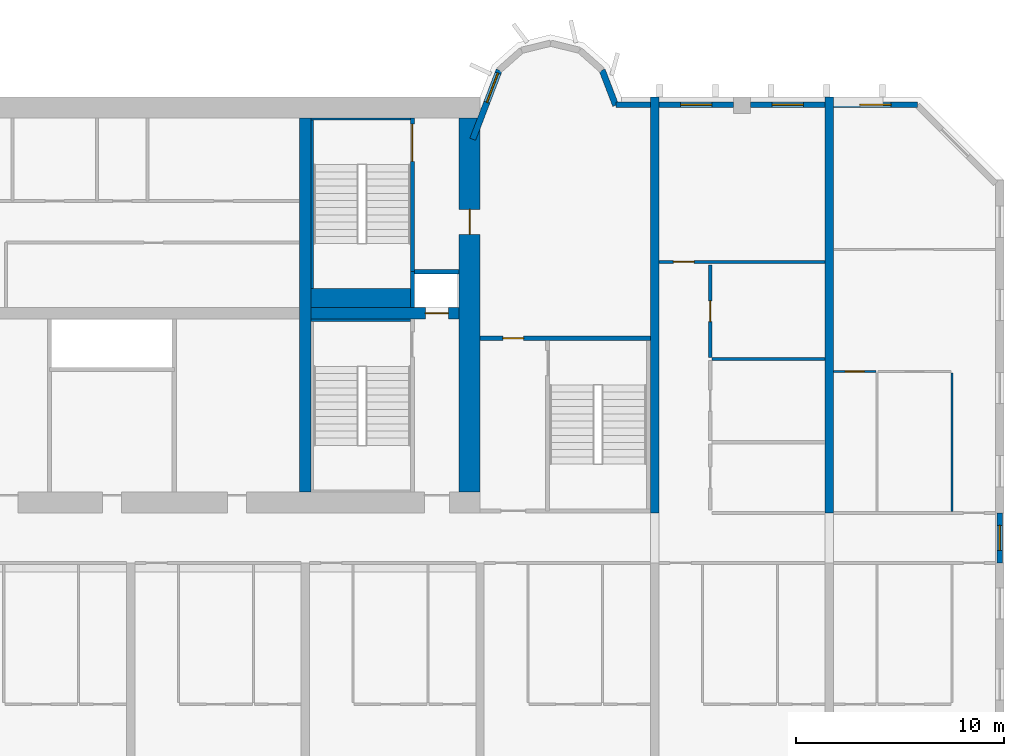
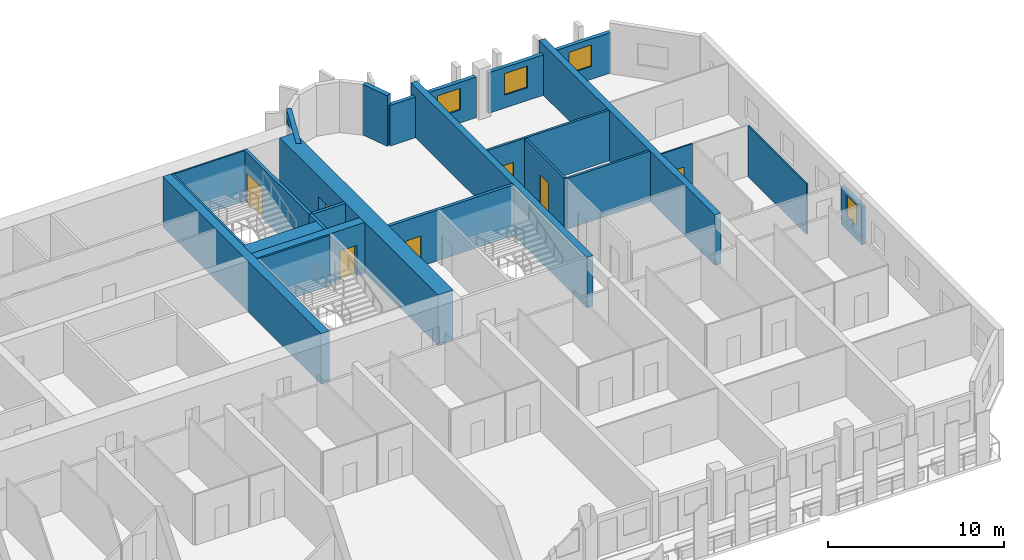
# One storey, part 10 of 15: 25 walls, 7 doors, 5 windows, 12 openings.
"""IFC4 building model written with IfcOpenShell, lengths in metres."""

from ifc_helpers import new_model, si_unit, direction, frame, frame_2d, origin, place, context, subcontext, project, spatial, rectangle, extrude, source, transform, mapped, material, layer, layer_set, type_object, element, fill, save


model = new_model("IFC4")

# Units and contexts
model_context = context("Model", 3, precision=1e-05, world=origin(), true_north=direction((0.0, 1.0)))
body_context = subcontext(model_context, "Body", "Model", "MODEL_VIEW")
ifc_project = project(units=[si_unit("LENGTHUNIT", "METRE"), si_unit("AREAUNIT", "SQUARE_METRE"), si_unit("VOLUMEUNIT", "CUBIC_METRE"), si_unit("PLANEANGLEUNIT", "RADIAN"), si_unit("MASSUNIT", "GRAM", prefix="KILO")], contexts=[model_context])

# Site, building, storey
site_placement = place(None, origin())
site = spatial("IfcSite", under=ifc_project, at=site_placement, CompositionType="ELEMENT")
building_placement = place(site_placement, origin())
building = spatial("IfcBuilding", under=site, at=building_placement, Name="Vanashikhar Sky Hotel", CompositionType="ELEMENT")
storey_placement = place(building_placement, frame((0.0, 0.0, 69.60009765625)))
storey = spatial("IfcBuildingStorey", under=building, at=storey_placement, Name="L16", CompositionType="ELEMENT", Elevation=69.60009765625)

# Wall, opening, door
ifc_material_1 = material(Name="Concrete M80", Category="concrete")
ifc_layer_1 = layer(ifc_material_1, 1.0)
ifc_layer_set_1 = layer_set([ifc_layer_1], Name="RC core shell wall 1000 Concrete M80")
wall_type_1 = type_object("IfcWallType", Name="RC core shell wall 1000 Concrete M80", PredefinedType="SHEAR", material=ifc_layer_set_1)
shared_shape_1 = source(origin(), body_context, "Body", "SweptSolid", [
    extrude(rectangle(XDim=18.0, YDim=1.0, at=frame_2d((9.0, 0.0))), origin(), (0.0, 0.0, 1.0), 3.52001953125),
])
wall_1_placement = place(storey_placement, frame((75.10009765625, 23.0, 0.0), z_axis=(0.0, 0.0, 1.0), x_axis=(0.0, 1.0, 0.0)))
wall_1 = element("IfcWall", 1, at=wall_1_placement, inside=storey, type_object=wall_type_1, Name="KW-L16-KE", PredefinedType="SHEAR", context=body_context, shape_type="MappedRepresentation", body=[
    mapped(shared_shape_1, transform((0.0, 0.0, 0.0), scale=1.0)),
])
shared_shape_2 = source(origin(), body_context, "Body", "SweptSolid", [
    extrude(rectangle(XDim=1.199951171875, YDim=2.10009765625, at=frame_2d((0.60009765625, 1.050048828125))), frame((0.0, 0.510009765625, 0.0), z_axis=(0.0, -1.0, 0.0), x_axis=(1.0, 0.0, 0.0)), (0.0, 0.0, 1.0), 1.02001953125),
])
opening_1_placement = place(wall_1_placement, frame((12.39990234375, 0.0, 0.0)))
opening_1 = element("IfcOpeningElement", 2, at=opening_1_placement, cuts=wall_1, Name="Opening DC-4-D", PredefinedType="OPENING", context=body_context, shape_type="MappedRepresentation", body=[
    mapped(shared_shape_2, transform((0.0, 0.0, 0.0), scale=1.0)),
])
ifc_material_2 = material(Name="Steel", Category="steel")
door_type_1 = type_object("IfcDoorType", Name="Service door 1200 FD120", OperationType="NOTDEFINED", PredefinedType="DOOR", material=ifc_material_2)
shared_shape_3 = source(origin(), body_context, "Body", "SweptSolid", [
    extrude(rectangle(XDim=1.199951171875, YDim=2.10009765625, at=frame_2d((0.60009765625, 1.050048828125))), frame((0.0, 0.02490234375, 0.0), z_axis=(0.0, -1.0, 0.0), x_axis=(1.0, 0.0, 0.0)), (0.0, 0.0, 1.0), 0.050048828125),
])
door_1_placement = place(opening_1_placement, origin())
door_1 = element("IfcDoor", 3, at=door_1_placement, inside=storey, type_object=door_type_1, Name="Service door 1200 FD120", OperationType="SINGLE_SWING_LEFT", OverallHeight=2.10009765625, OverallWidth=1.199951171875, PredefinedType="DOOR", context=body_context, shape_type="MappedRepresentation", body=[
    mapped(shared_shape_3, transform((0.0, 0.0, 0.0), scale=1.0)),
])
fill(opening_1, door_1)

# Wall
ifc_layer_2 = layer(ifc_material_1, 0.550048828125)
ifc_layer_set_2 = layer_set([ifc_layer_2], Name="RC core inner wall 550 Concrete M80")
wall_type_2 = type_object("IfcWallType", Name="RC core inner wall 550 Concrete M80", PredefinedType="SHEAR", material=ifc_layer_set_2)
shared_shape_4 = source(origin(), body_context, "Body", "SweptSolid", [
    extrude(rectangle(XDim=18.0, YDim=0.550048828125, at=frame_2d((9.0, 0.0))), origin(), (0.0, 0.0, 1.0), 3.52001953125),
])
wall_2_placement = place(storey_placement, frame((67.199951171875, 23.0, 0.0), z_axis=(0.0, 0.0, 1.0), x_axis=(0.0, 1.0, 0.0)))
element("IfcWall", 4, at=wall_2_placement, inside=storey, type_object=wall_type_2, Name="KW-L16-KX3", PredefinedType="SHEAR", context=body_context, shape_type="MappedRepresentation", body=[
    mapped(shared_shape_4, transform((0.0, 0.0, 0.0), scale=1.0)),
])

# Wall, opening, door
shared_shape_5 = source(origin(), body_context, "Body", "SweptSolid", [
    extrude(rectangle(XDim=7.125, YDim=0.550048828125, at=frame_2d((3.5625, 0.0))), origin(), (0.0, 0.0, 1.0), 3.52001953125),
])
wall_3_placement = place(storey_placement, frame((67.47509765625, 31.60009765625, 0.0), z_axis=(0.0, 0.0, 1.0), x_axis=(1.0, 0.0, 0.0)))
wall_3 = element("IfcWall", 5, at=wall_3_placement, inside=storey, type_object=wall_type_2, Name="KW-L16-KY4", PredefinedType="SHEAR", context=body_context, shape_type="MappedRepresentation", body=[
    mapped(shared_shape_5, transform((0.0, 0.0, 0.0), scale=1.0)),
])
shared_shape_6 = source(origin(), body_context, "Body", "SweptSolid", [
    extrude(rectangle(XDim=1.10009765625, YDim=2.10009765625, at=frame_2d((0.550048828125, 1.050048828125))), frame((0.0, 0.28515625, 0.0), z_axis=(0.0, -1.0, 0.0), x_axis=(1.0, 0.0, 0.0)), (0.0, 0.0, 1.0), 0.570068359375),
])
opening_2_placement = place(wall_3_placement, frame((5.5, 0.0, 0.0)))
opening_2 = element("IfcOpeningElement", 6, at=opening_2_placement, cuts=wall_3, Name="Opening LD", PredefinedType="OPENING", context=body_context, shape_type="MappedRepresentation", body=[
    mapped(shared_shape_6, transform((0.0, 0.0, 0.0), scale=1.0)),
])
ifc_material_3 = material(Name="Stainless steel", Category="steel")
door_type_2 = type_object("IfcDoorType", Name="Lift landing door 1100", OperationType="NOTDEFINED", PredefinedType="DOOR", material=ifc_material_3)
shared_shape_7 = source(origin(), body_context, "Body", "SweptSolid", [
    extrude(rectangle(XDim=1.10009765625, YDim=2.10009765625, at=frame_2d((0.550048828125, 1.050048828125))), frame((0.0, 0.02490234375, 0.0), z_axis=(0.0, -1.0, 0.0), x_axis=(1.0, 0.0, 0.0)), (0.0, 0.0, 1.0), 0.050048828125),
])
door_2_placement = place(opening_2_placement, origin())
door_2 = element("IfcDoor", 7, at=door_2_placement, inside=storey, type_object=door_type_2, Name="Lift landing door 1100", OperationType="SLIDING_TO_RIGHT", OverallHeight=2.10009765625, OverallWidth=1.10009765625, PredefinedType="DOOR", context=body_context, shape_type="MappedRepresentation", body=[
    mapped(shared_shape_7, transform((0.0, 0.0, 0.0), scale=1.0)),
])
fill(opening_2, door_2)

# Walls
ifc_layer_3 = layer(ifc_material_1, 0.39990234375)
ifc_layer_set_3 = layer_set([ifc_layer_3], Name="RC shear wall 400 Concrete M80")
wall_type_3 = type_object("IfcWallType", Name="RC shear wall 400 Concrete M80", PredefinedType="SHEAR", material=ifc_layer_set_3)
shared_shape_8 = source(origin(), body_context, "Body", "SweptSolid", [
    extrude(rectangle(XDim=20.0, YDim=0.39990234375, at=frame_2d((10.0, 0.0))), origin(), (0.0, 0.0, 1.0), 3.52001953125),
])
for number, where, z_axis, x_axis, name in (
    (8, (84.0, 22.0, 0.0), (0.0, 0.0, 1.0), (0.0, 1.0, 0.0), "CW-L16-XW11-2"),
    (9, (92.39990234375, 22.0, 0.0), (0.0, 0.0, 1.0), (0.0, 1.0, 0.0), "CW-L16-XW12-2"),
):
    element("IfcWall", number, at=place(storey_placement, frame(where, z_axis=z_axis, x_axis=x_axis)), inside=storey, type_object=wall_type_3, Name=name, PredefinedType="SHEAR", context=body_context, shape_type="MappedRepresentation", body=[
        mapped(shared_shape_8, transform((0.0, 0.0, 0.0), scale=1.0)),
    ])

# Wall, opening, window
ifc_material_4 = material(Name="Concrete M50", Category="concrete")
ifc_layer_4 = layer(ifc_material_4, 0.300048828125)
ifc_layer_set_4 = layer_set([ifc_layer_4], Name="Lobe wall 300")
wall_type_4 = type_object("IfcWallType", Name="Lobe wall 300", PredefinedType="SOLIDWALL", material=ifc_layer_set_4)
shared_shape_9 = source(origin(), body_context, "Body", "SweptSolid", [
    extrude(rectangle(XDim=3.55908203125, YDim=0.300048828125, at=frame_2d((1.779541015625, 0.0))), origin(), (0.0, 0.0, 1.0), 3.52001953125),
])
wall_4_placement = place(storey_placement, frame((76.5234375, 43.2919921875, 0.0), z_axis=(0.0, 0.0, 1.0), x_axis=(-0.35779745313, -0.933799219604, 0.0)))
wall_4 = element("IfcWall", 10, at=wall_4_placement, inside=storey, type_object=wall_type_4, Name="Lobe wall", PredefinedType="SOLIDWALL", context=body_context, shape_type="MappedRepresentation", body=[
    mapped(shared_shape_9, transform((0.0, 0.0, 0.0), scale=1.0)),
])
shared_shape_10 = source(origin(), body_context, "Body", "SweptSolid", [
    extrude(rectangle(XDim=1.5, YDim=2.0, at=frame_2d((0.75, 1.0))), frame((0.0, 0.16015625, 0.0), z_axis=(0.0, -1.0, 0.0), x_axis=(1.0, 0.0, 0.0)), (0.0, 0.0, 1.0), 0.320068359375),
])
opening_3_placement = place(wall_4_placement, frame((0.156005859375, 0.0, 0.89990234375)))
opening_3 = element("IfcOpeningElement", 11, at=opening_3_placement, cuts=wall_4, Name="Opening WN-2", PredefinedType="OPENING", context=body_context, shape_type="MappedRepresentation", body=[
    mapped(shared_shape_10, transform((0.0, 0.0, 0.0), scale=1.0)),
])
ifc_material_5 = material(Name="Glass", Category="glass")
window_type_1 = type_object("IfcWindowType", Name="Lobe window 1500 x 2000", PartitioningType="SINGLE_PANEL", PredefinedType="WINDOW", material=ifc_material_5)
shared_shape_11 = source(origin(), body_context, "Body", "SweptSolid", [
    extrude(rectangle(XDim=1.5, YDim=2.0, at=frame_2d((0.75, 1.0))), frame((0.0, 0.030029296875, 0.0), z_axis=(0.0, -1.0, 0.0), x_axis=(1.0, 0.0, 0.0)), (0.0, 0.0, 1.0), 0.06005859375),
])
window_1_placement = place(opening_3_placement, origin())
window_1 = element("IfcWindow", 12, at=window_1_placement, inside=storey, type_object=window_type_1, Name="Window WN-2", OverallHeight=2.0, OverallWidth=1.5, PartitioningType="SINGLE_PANEL", PredefinedType="WINDOW", context=body_context, shape_type="MappedRepresentation", body=[
    mapped(shared_shape_11, transform((0.0, 0.0, 0.0), scale=1.0)),
])
fill(opening_3, window_1)

# Wall
shared_shape_12 = source(origin(), body_context, "Body", "SweptSolid", [
    extrude(rectangle(XDim=1.81201171875, YDim=0.300048828125, at=frame_2d((0.906005859375, 0.0))), origin(), (0.0, 0.0, 1.0), 3.52001953125),
])
wall_5_placement = place(storey_placement, frame((82.125, 41.60009765625, 0.0), z_axis=(0.0, 0.0, 1.0), x_axis=(-0.357877270961, 0.93376863244, 0.0)))
element("IfcWall", 13, at=wall_5_placement, inside=storey, type_object=wall_type_4, Name="Lobe wall", PredefinedType="SOLIDWALL", context=body_context, shape_type="MappedRepresentation", body=[
    mapped(shared_shape_12, transform((0.0, 0.0, 0.0), scale=1.0)),
])

# Wall, opening, window
ifc_layer_5 = layer(ifc_material_4, 0.25)
ifc_layer_set_5 = layer_set([ifc_layer_5], Name="Rear and end board-marked wall 250")
wall_type_5 = type_object("IfcWallType", Name="Rear and end board-marked wall 250", PredefinedType="SOLIDWALL", material=ifc_layer_set_5)
shared_shape_13 = source(origin(), body_context, "Body", "SweptSolid", [
    extrude(rectangle(XDim=2.39990234375, YDim=0.25, at=frame_2d((1.199951171875, 0.0))), origin(), (0.0, 0.0, 1.0), 2.619873046875),
])
wall_6_placement = place(storey_placement, frame((100.60009765625, 19.60009765625, 0.0), z_axis=(0.0, 0.0, 1.0), x_axis=(0.0, 1.0, 0.0)))
wall_6 = element("IfcWall", 14, at=wall_6_placement, inside=storey, type_object=wall_type_5, Name="End corridor infill wall", PredefinedType="SOLIDWALL", context=body_context, shape_type="MappedRepresentation", body=[
    mapped(shared_shape_13, transform((0.0, 0.0, 0.0), scale=1.0)),
])
shared_shape_14 = source(origin(), body_context, "Body", "SweptSolid", [
    extrude(rectangle(XDim=1.199951171875, YDim=1.5, at=frame_2d((0.60009765625, 0.75))), frame((0.0, 0.135009765625, 0.0), z_axis=(0.0, -1.0, 0.0), x_axis=(1.0, 0.0, 0.0)), (0.0, 0.0, 1.0), 0.27001953125),
])
opening_4_placement = place(wall_6_placement, frame((0.60009765625, 0.0, 0.89990234375)))
opening_4 = element("IfcOpeningElement", 15, at=opening_4_placement, cuts=wall_6, Name="Opening WN-3", PredefinedType="OPENING", context=body_context, shape_type="MappedRepresentation", body=[
    mapped(shared_shape_14, transform((0.0, 0.0, 0.0), scale=1.0)),
])
window_type_2 = type_object("IfcWindowType", Name="Corridor end window 1200 x 1500", PartitioningType="SINGLE_PANEL", PredefinedType="WINDOW", material=ifc_material_5)
shared_shape_15 = source(origin(), body_context, "Body", "SweptSolid", [
    extrude(rectangle(XDim=1.199951171875, YDim=1.5, at=frame_2d((0.60009765625, 0.75))), frame((0.0, 0.030029296875, 0.0), z_axis=(0.0, -1.0, 0.0), x_axis=(1.0, 0.0, 0.0)), (0.0, 0.0, 1.0), 0.06005859375),
])
window_2_placement = place(opening_4_placement, origin())
window_2 = element("IfcWindow", 16, at=window_2_placement, inside=storey, type_object=window_type_2, Name="Window WN-3", OverallHeight=1.5, OverallWidth=1.199951171875, PartitioningType="SINGLE_PANEL", PredefinedType="WINDOW", context=body_context, shape_type="MappedRepresentation", body=[
    mapped(shared_shape_15, transform((0.0, 0.0, 0.0), scale=1.0)),
])
fill(opening_4, window_2)

# Wall
shared_shape_16 = source(origin(), body_context, "Body", "SweptSolid", [
    extrude(rectangle(XDim=1.657958984375, YDim=0.25, at=frame_2d((0.8291015625, 0.0))), origin(), (0.0, 0.0, 1.0), 2.81982421875),
])
wall_7_placement = place(storey_placement, frame((83.800048828125, 41.625, 0.0), z_axis=(0.0, 0.0, 1.0), x_axis=(-1.0, 0.0, 0.0)))
element("IfcWall", 17, at=wall_7_placement, inside=storey, type_object=wall_type_5, Name="Rear board-marked wall", PredefinedType="SOLIDWALL", context=body_context, shape_type="MappedRepresentation", body=[
    mapped(shared_shape_16, transform((0.0, 0.0, 0.0), scale=1.0)),
])

# Wall, opening, window
shared_shape_17 = source(origin(), body_context, "Body", "SweptSolid", [
    extrude(rectangle(XDim=3.60009765625, YDim=0.25, at=frame_2d((1.800048828125, 0.0))), origin(), (0.0, 0.0, 1.0), 2.81982421875),
])
wall_8_placement = place(storey_placement, frame((87.800048828125, 41.625, 0.0), z_axis=(0.0, 0.0, 1.0), x_axis=(-1.0, 0.0, 0.0)))
wall_8 = element("IfcWall", 18, at=wall_8_placement, inside=storey, type_object=wall_type_5, Name="Rear board-marked wall", PredefinedType="SOLIDWALL", context=body_context, shape_type="MappedRepresentation", body=[
    mapped(shared_shape_17, transform((0.0, 0.0, 0.0), scale=1.0)),
])
shared_shape_18 = source(origin(), body_context, "Body", "SweptSolid", [
    extrude(rectangle(XDim=1.5, YDim=1.5, at=frame_2d((0.75, 0.75))), frame((0.0, 0.135009765625, 0.0), z_axis=(0.0, -1.0, 0.0), x_axis=(1.0, 0.0, 0.0)), (0.0, 0.0, 1.0), 0.27001953125),
])
opening_5_placement = place(wall_8_placement, frame((1.050048828125, 0.0, 0.89990234375)))
opening_5 = element("IfcOpeningElement", 19, at=opening_5_placement, cuts=wall_8, Name="Opening WN-1", PredefinedType="OPENING", context=body_context, shape_type="MappedRepresentation", body=[
    mapped(shared_shape_18, transform((0.0, 0.0, 0.0), scale=1.0)),
])
window_type_3 = type_object("IfcWindowType", Name="Window 1500 x 1500", PartitioningType="SINGLE_PANEL", PredefinedType="WINDOW", material=ifc_material_5)
shared_shape_19 = source(origin(), body_context, "Body", "SweptSolid", [
    extrude(rectangle(XDim=1.5, YDim=1.5, at=frame_2d((0.75, 0.75))), frame((0.0, 0.030029296875, 0.0), z_axis=(0.0, -1.0, 0.0), x_axis=(1.0, 0.0, 0.0)), (0.0, 0.0, 1.0), 0.06005859375),
])
window_3_placement = place(opening_5_placement, origin())
window_3 = element("IfcWindow", 20, at=window_3_placement, inside=storey, type_object=window_type_3, Name="Window WN-1", OverallHeight=1.5, OverallWidth=1.5, PartitioningType="SINGLE_PANEL", PredefinedType="WINDOW", context=body_context, shape_type="MappedRepresentation", body=[
    mapped(shared_shape_19, transform((0.0, 0.0, 0.0), scale=1.0)),
])
fill(opening_5, window_3)

shared_shape_20 = source(origin(), body_context, "Body", "SweptSolid", [
    extrude(rectangle(XDim=3.599853515625, YDim=0.25, at=frame_2d((1.7998046875, 0.0))), origin(), (0.0, 0.0, 1.0), 2.81982421875),
])
wall_9_placement = place(storey_placement, frame((92.199951171875, 41.625, 0.0), z_axis=(0.0, 0.0, 1.0), x_axis=(-1.0, 0.0, 0.0)))
wall_9 = element("IfcWall", 21, at=wall_9_placement, inside=storey, type_object=wall_type_5, Name="Rear board-marked wall", PredefinedType="SOLIDWALL", context=body_context, shape_type="MappedRepresentation", body=[
    mapped(shared_shape_20, transform((0.0, 0.0, 0.0), scale=1.0)),
])
opening_6_placement = place(wall_9_placement, frame((1.050048828125, 0.0, 0.89990234375)))
opening_6 = element("IfcOpeningElement", 22, at=opening_6_placement, cuts=wall_9, Name="Opening WN-1", PredefinedType="OPENING", context=body_context, shape_type="MappedRepresentation", body=[
    mapped(shared_shape_18, transform((0.0, 0.0, 0.0), scale=1.0)),
])
window_4_placement = place(opening_6_placement, origin())
window_4 = element("IfcWindow", 23, at=window_4_placement, inside=storey, type_object=window_type_3, Name="Window WN-1", OverallHeight=1.5, OverallWidth=1.5, PartitioningType="SINGLE_PANEL", PredefinedType="WINDOW", context=body_context, shape_type="MappedRepresentation", body=[
    mapped(shared_shape_19, transform((0.0, 0.0, 0.0), scale=1.0)),
])
fill(opening_6, window_4)

shared_shape_21 = source(origin(), body_context, "Body", "SweptSolid", [
    extrude(rectangle(XDim=4.044677734375, YDim=0.25, at=frame_2d((2.0224609375, 0.0))), origin(), (0.0, 0.0, 1.0), 2.81982421875),
])
wall_10_placement = place(storey_placement, frame((96.644775390625, 41.625, 0.0), z_axis=(0.0, 0.0, 1.0), x_axis=(-1.0, 0.0, 0.0)))
wall_10 = element("IfcWall", 24, at=wall_10_placement, inside=storey, type_object=wall_type_5, Name="Rear board-marked wall", PredefinedType="SOLIDWALL", context=body_context, shape_type="MappedRepresentation", body=[
    mapped(shared_shape_21, transform((0.0, 0.0, 0.0), scale=1.0)),
])
opening_7_placement = place(wall_10_placement, frame((1.272216796875, 0.0, 0.89990234375)))
opening_7 = element("IfcOpeningElement", 25, at=opening_7_placement, cuts=wall_10, Name="Opening WN-1", PredefinedType="OPENING", context=body_context, shape_type="MappedRepresentation", body=[
    mapped(shared_shape_18, transform((0.0, 0.0, 0.0), scale=1.0)),
])
window_5_placement = place(opening_7_placement, origin())
window_5 = element("IfcWindow", 26, at=window_5_placement, inside=storey, type_object=window_type_3, Name="Window WN-1", OverallHeight=1.5, OverallWidth=1.5, PartitioningType="SINGLE_PANEL", PredefinedType="WINDOW", context=body_context, shape_type="MappedRepresentation", body=[
    mapped(shared_shape_19, transform((0.0, 0.0, 0.0), scale=1.0)),
])
fill(opening_7, window_5)

# Wall, opening, door
ifc_layer_6 = layer(ifc_material_4, 0.199951171875)
ifc_layer_set_6 = layer_set([ifc_layer_6], Name="Stair wall 200")
wall_type_6 = type_object("IfcWallType", Name="Stair wall 200", PredefinedType="SOLIDWALL", material=ifc_layer_set_6)
shared_shape_22 = source(origin(), body_context, "Body", "SweptSolid", [
    extrude(rectangle(XDim=8.199951171875, YDim=0.199951171875, at=frame_2d((4.10009765625, 0.0))), origin(), (0.0, 0.0, 1.0), 3.52001953125),
])
wall_11_placement = place(storey_placement, frame((83.800048828125, 30.39990234375, 0.0), z_axis=(0.0, 0.0, 1.0), x_axis=(-1.0, 0.0, 0.0)))
wall_11 = element("IfcWall", 27, at=wall_11_placement, inside=storey, type_object=wall_type_6, Name="Stair wall 200", PredefinedType="SOLIDWALL", context=body_context, shape_type="MappedRepresentation", body=[
    mapped(shared_shape_22, transform((0.0, 0.0, 0.0), scale=1.0)),
])
shared_shape_23 = source(origin(), body_context, "Body", "SweptSolid", [
    extrude(rectangle(XDim=1.0, YDim=2.10009765625, at=frame_2d((0.5, 1.050048828125))), frame((0.0, 0.10986328125, 0.0), z_axis=(0.0, -1.0, 0.0), x_axis=(1.0, 0.0, 0.0)), (0.0, 0.0, 1.0), 0.219970703125),
])
opening_8_placement = place(wall_11_placement, frame((6.10009765625, 0.0, 0.0)))
opening_8 = element("IfcOpeningElement", 28, at=opening_8_placement, cuts=wall_11, Name="Opening DC-6", PredefinedType="OPENING", context=body_context, shape_type="MappedRepresentation", body=[
    mapped(shared_shape_23, transform((0.0, 0.0, 0.0), scale=1.0)),
])
door_type_3 = type_object("IfcDoorType", Name="Pocket door 1000 FD60", OperationType="NOTDEFINED", PredefinedType="DOOR", material=ifc_material_2)
shared_shape_24 = source(origin(), body_context, "Body", "SweptSolid", [
    extrude(rectangle(XDim=1.0, YDim=2.10009765625, at=frame_2d((0.5, 1.050048828125))), frame((0.0, 0.02490234375, 0.0), z_axis=(0.0, -1.0, 0.0), x_axis=(1.0, 0.0, 0.0)), (0.0, 0.0, 1.0), 0.050048828125),
])
door_3_placement = place(opening_8_placement, origin())
door_3 = element("IfcDoor", 29, at=door_3_placement, inside=storey, type_object=door_type_3, Name="Pocket door 1000 FD60", OperationType="SINGLE_SWING_RIGHT", OverallHeight=2.10009765625, OverallWidth=1.0, PredefinedType="DOOR", context=body_context, shape_type="MappedRepresentation", body=[
    mapped(shared_shape_24, transform((0.0, 0.0, 0.0), scale=1.0)),
])
fill(opening_8, door_3)

# Walls
ifc_material_6 = material(Name="Concrete M40", Category="concrete")
ifc_layer_7 = layer(ifc_material_6, 0.199951171875)
ifc_layer_set_7 = layer_set([ifc_layer_7], Name="Shaft wall 200")
wall_type_7 = type_object("IfcWallType", Name="Shaft wall 200", PredefinedType="SOLIDWALL", material=ifc_layer_set_7)
shared_shape_25 = source(origin(), body_context, "Body", "SweptSolid", [
    extrude(rectangle(XDim=2.150146484375, YDim=0.199951171875, at=frame_2d((1.0751953125, 0.0))), origin(), (0.0, 0.0, 1.0), 3.52001953125),
])
wall_12_placement = place(storey_placement, frame((72.449951171875, 33.60009765625, 0.0), z_axis=(0.0, 0.0, 1.0), x_axis=(1.0, 0.0, 0.0)))
element("IfcWall", 30, at=wall_12_placement, inside=storey, type_object=wall_type_7, Name="Shaft wall 200", PredefinedType="SOLIDWALL", context=body_context, shape_type="MappedRepresentation", body=[
    mapped(shared_shape_25, transform((0.0, 0.0, 0.0), scale=1.0)),
])
shared_shape_26 = source(origin(), body_context, "Body", "SweptSolid", [
    extrude(rectangle(XDim=1.72509765625, YDim=0.199951171875, at=frame_2d((0.862548828125, 0.0))), origin(), (0.0, 0.0, 1.0), 3.52001953125),
])
wall_13_placement = place(storey_placement, frame((72.35009765625, 31.875, 0.0), z_axis=(0.0, 0.0, 1.0), x_axis=(0.0, 1.0, 0.0)))
element("IfcWall", 31, at=wall_13_placement, inside=storey, type_object=wall_type_7, Name="Shaft wall 200", PredefinedType="SOLIDWALL", context=body_context, shape_type="MappedRepresentation", body=[
    mapped(shared_shape_26, transform((0.0, 0.0, 0.0), scale=1.0)),
])

# Wall, opening, door
shared_shape_27 = source(origin(), body_context, "Body", "SweptSolid", [
    extrude(rectangle(XDim=7.39990234375, YDim=0.199951171875, at=frame_2d((3.699951171875, 0.0))), origin(), (0.0, 0.0, 1.0), 3.52001953125),
])
wall_14_placement = place(storey_placement, frame((72.35009765625, 33.60009765625, 0.0), z_axis=(0.0, 0.0, 1.0), x_axis=(0.0, 1.0, 0.0)))
wall_14 = element("IfcWall", 32, at=wall_14_placement, inside=storey, type_object=wall_type_6, Name="Stair wall 200", PredefinedType="SOLIDWALL", context=body_context, shape_type="MappedRepresentation", body=[
    mapped(shared_shape_27, transform((0.0, 0.0, 0.0), scale=1.0)),
])
shared_shape_28 = source(origin(), body_context, "Body", "SweptSolid", [
    extrude(rectangle(XDim=1.800048828125, YDim=2.10009765625, at=frame_2d((0.89990234375, 1.050048828125))), frame((0.0, 0.10986328125, 0.0), z_axis=(0.0, -1.0, 0.0), x_axis=(1.0, 0.0, 0.0)), (0.0, 0.0, 1.0), 0.219970703125),
])
opening_9_placement = place(wall_14_placement, frame((5.300048828125, 0.0, 0.0)))
opening_9 = element("IfcOpeningElement", 33, at=opening_9_placement, cuts=wall_14, Name="Opening DC-1-A", PredefinedType="OPENING", context=body_context, shape_type="MappedRepresentation", body=[
    mapped(shared_shape_28, transform((0.0, 0.0, 0.0), scale=1.0)),
])
door_type_4 = type_object("IfcDoorType", Name="Stair door 1800 FD120", OperationType="NOTDEFINED", PredefinedType="DOOR", material=ifc_material_2)
shared_shape_29 = source(origin(), body_context, "Body", "SweptSolid", [
    extrude(rectangle(XDim=1.800048828125, YDim=2.10009765625, at=frame_2d((0.89990234375, 1.050048828125))), frame((0.0, 0.02490234375, 0.0), z_axis=(0.0, -1.0, 0.0), x_axis=(1.0, 0.0, 0.0)), (0.0, 0.0, 1.0), 0.050048828125),
])
door_4_placement = place(opening_9_placement, origin())
door_4 = element("IfcDoor", 34, at=door_4_placement, inside=storey, type_object=door_type_4, Name="Stair door 1800 FD120", OperationType="SINGLE_SWING_LEFT", OverallHeight=2.10009765625, OverallWidth=1.800048828125, PredefinedType="DOOR", context=body_context, shape_type="MappedRepresentation", body=[
    mapped(shared_shape_29, transform((0.0, 0.0, 0.0), scale=1.0)),
])
fill(opening_9, door_4)

# Walls
ifc_layer_8 = layer(ifc_material_4, 0.10009765625)
ifc_layer_set_8 = layer_set([ifc_layer_8], Name="Stair infill wall 100")
wall_type_8 = type_object("IfcWallType", Name="Stair infill wall 100", PredefinedType="SOLIDWALL", material=ifc_layer_set_8)
shared_shape_30 = source(origin(), body_context, "Body", "SweptSolid", [
    extrude(rectangle(XDim=4.77490234375, YDim=0.10009765625, at=frame_2d((2.387451171875, 0.0))), origin(), (0.0, 0.0, 1.0), 3.52001953125),
])
wall_15_placement = place(storey_placement, frame((67.47509765625, 40.949951171875, 0.0), z_axis=(0.0, 0.0, 1.0), x_axis=(1.0, 0.0, 0.0)))
element("IfcWall", 35, at=wall_15_placement, inside=storey, type_object=wall_type_8, Name="Stair infill wall 100", PredefinedType="SOLIDWALL", context=body_context, shape_type="MappedRepresentation", body=[
    mapped(shared_shape_30, transform((0.0, 0.0, 0.0), scale=1.0)),
])
ifc_layer_9 = layer(ifc_material_4, 0.125)
ifc_layer_set_9 = layer_set([ifc_layer_9], Name="Stair infill wall 125")
wall_type_9 = type_object("IfcWallType", Name="Stair infill wall 125", PredefinedType="SOLIDWALL", material=ifc_layer_set_9)
shared_shape_31 = source(origin(), body_context, "Body", "SweptSolid", [
    extrude(rectangle(XDim=4.77490234375, YDim=0.125, at=frame_2d((2.387451171875, 0.0))), origin(), (0.0, 0.0, 1.0), 3.52001953125),
])
wall_16_placement = place(storey_placement, frame((67.47509765625, 31.261962890625, 0.0), z_axis=(0.0, 0.0, 1.0), x_axis=(1.0, 0.0, 0.0)))
element("IfcWall", 36, at=wall_16_placement, inside=storey, type_object=wall_type_9, Name="Stair infill wall 125", PredefinedType="SOLIDWALL", context=body_context, shape_type="MappedRepresentation", body=[
    mapped(shared_shape_31, transform((0.0, 0.0, 0.0), scale=1.0)),
])
shared_shape_32 = source(origin(), body_context, "Body", "SweptSolid", [
    extrude(rectangle(XDim=8.099853515625, YDim=0.125, at=frame_2d((4.0498046875, 0.0))), origin(), (0.0, 0.0, 1.0), 3.52001953125),
])
wall_17_placement = place(storey_placement, frame((67.537109375, 32.800048828125, 0.0), z_axis=(0.0, 0.0, 1.0), x_axis=(0.0, 1.0, 0.0)))
element("IfcWall", 37, at=wall_17_placement, inside=storey, type_object=wall_type_9, Name="Stair infill wall 125", PredefinedType="SOLIDWALL", context=body_context, shape_type="MappedRepresentation", body=[
    mapped(shared_shape_32, transform((0.0, 0.0, 0.0), scale=1.0)),
])
ifc_layer_10 = layer(ifc_material_4, 0.925048828125)
ifc_layer_set_10 = layer_set([ifc_layer_10], Name="Stair infill wall 925")
wall_type_10 = type_object("IfcWallType", Name="Stair infill wall 925", PredefinedType="SOLIDWALL", material=ifc_layer_set_10)
shared_shape_33 = source(origin(), body_context, "Body", "SweptSolid", [
    extrude(rectangle(XDim=4.77490234375, YDim=0.925048828125, at=frame_2d((2.387451171875, 0.0))), origin(), (0.0, 0.0, 1.0), 3.52001953125),
])
wall_18_placement = place(storey_placement, frame((67.47509765625, 32.3369140625, 0.0), z_axis=(0.0, 0.0, 1.0), x_axis=(1.0, 0.0, 0.0)))
element("IfcWall", 38, at=wall_18_placement, inside=storey, type_object=wall_type_10, Name="Stair infill wall 925", PredefinedType="SOLIDWALL", context=body_context, shape_type="MappedRepresentation", body=[
    mapped(shared_shape_33, transform((0.0, 0.0, 0.0), scale=1.0)),
])

# Wall, opening, door
ifc_material_7 = material(Name="Gypsum plasterboard partition")
ifc_layer_11 = layer(ifc_material_7, 0.10009765625)
ifc_layer_set_11 = layer_set([ifc_layer_11], Name="Wet room partition 100")
wall_type_11 = type_object("IfcWallType", Name="Wet room partition 100", PredefinedType="PARTITIONING", material=ifc_layer_set_11)
shared_shape_34 = source(origin(), body_context, "Body", "SweptSolid", [
    extrude(rectangle(XDim=2.0498046875, YDim=0.10009765625, at=frame_2d((1.02490234375, 0.0))), origin(), (0.0, 0.0, 1.0), 3.52001953125),
])
wall_19_placement = place(storey_placement, frame((92.60009765625, 28.800048828125, 0.0), z_axis=(0.0, 0.0, 1.0), x_axis=(1.0, 0.0, 0.0)))
wall_19 = element("IfcWall", 39, at=wall_19_placement, inside=storey, type_object=wall_type_11, Name="W-L16-PW093", PredefinedType="PARTITIONING", context=body_context, shape_type="MappedRepresentation", body=[
    mapped(shared_shape_34, transform((0.0, 0.0, 0.0), scale=1.0)),
])
shared_shape_35 = source(origin(), body_context, "Body", "SweptSolid", [
    extrude(rectangle(XDim=0.89990234375, YDim=2.10009765625, at=frame_2d((0.449951171875, 1.050048828125))), frame((0.0, 0.06005859375, 0.0), z_axis=(0.0, -1.0, 0.0), x_axis=(1.0, 0.0, 0.0)), (0.0, 0.0, 1.0), 0.1201171875),
])
opening_10_placement = place(wall_19_placement, frame((0.574951171875, 0.0, 0.0)))
opening_10 = element("IfcOpeningElement", 40, at=opening_10_placement, cuts=wall_19, Name="Opening D-02", PredefinedType="OPENING", context=body_context, shape_type="MappedRepresentation", body=[
    mapped(shared_shape_35, transform((0.0, 0.0, 0.0), scale=1.0)),
])
ifc_material_8 = material(Name="Timber door", Category="wood")
door_type_5 = type_object("IfcDoorType", Name="Internal door 900", OperationType="NOTDEFINED", PredefinedType="DOOR", material=ifc_material_8)
shared_shape_36 = source(origin(), body_context, "Body", "SweptSolid", [
    extrude(rectangle(XDim=0.89990234375, YDim=2.10009765625, at=frame_2d((0.449951171875, 1.050048828125))), frame((0.0, 0.02490234375, 0.0), z_axis=(0.0, -1.0, 0.0), x_axis=(1.0, 0.0, 0.0)), (0.0, 0.0, 1.0), 0.050048828125),
])
door_5_placement = place(opening_10_placement, origin())
door_5 = element("IfcDoor", 41, at=door_5_placement, inside=storey, type_object=door_type_5, Name="D-L16-056", OperationType="SINGLE_SWING_RIGHT", OverallHeight=2.10009765625, OverallWidth=0.89990234375, PredefinedType="DOOR", context=body_context, shape_type="MappedRepresentation", body=[
    mapped(shared_shape_36, transform((0.0, 0.0, 0.0), scale=1.0)),
])
fill(opening_10, door_5)

ifc_layer_12 = layer(ifc_material_7, 0.14990234375)
ifc_layer_set_12 = layer_set([ifc_layer_12], Name="Corridor and demising partition 150")
wall_type_12 = type_object("IfcWallType", Name="Corridor and demising partition 150", PredefinedType="PARTITIONING", material=ifc_layer_set_12)
shared_shape_37 = source(origin(), body_context, "Body", "SweptSolid", [
    extrude(rectangle(XDim=4.449951171875, YDim=0.14990234375, at=frame_2d((2.22509765625, 0.0))), origin(), (0.0, 0.0, 1.0), 3.52001953125),
])
wall_20_placement = place(storey_placement, frame((86.675048828125, 29.47509765625, 0.0), z_axis=(0.0, 0.0, 1.0), x_axis=(0.0, 1.0, 0.0)))
wall_20 = element("IfcWall", 42, at=wall_20_placement, inside=storey, type_object=wall_type_12, Name="W-L16-PW088", PredefinedType="PARTITIONING", context=body_context, shape_type="MappedRepresentation", body=[
    mapped(shared_shape_37, transform((0.0, 0.0, 0.0), scale=1.0)),
])
shared_shape_38 = source(origin(), body_context, "Body", "SweptSolid", [
    extrude(rectangle(XDim=1.0, YDim=2.10009765625, at=frame_2d((0.5, 1.050048828125))), frame((0.0, 0.0849609375, 0.0), z_axis=(0.0, -1.0, 0.0), x_axis=(1.0, 0.0, 0.0)), (0.0, 0.0, 1.0), 0.169921875),
])
opening_11_placement = place(wall_20_placement, frame((1.72509765625, 0.0, 0.0)))
opening_11 = element("IfcOpeningElement", 43, at=opening_11_placement, cuts=wall_20, Name="Opening D-01", PredefinedType="OPENING", context=body_context, shape_type="MappedRepresentation", body=[
    mapped(shared_shape_38, transform((0.0, 0.0, 0.0), scale=1.0)),
])
ifc_material_9 = material(Name="Timber fire door", Category="wood")
door_type_6 = type_object("IfcDoorType", Name="Guest entry door 1000 FD30S", OperationType="NOTDEFINED", PredefinedType="DOOR", material=ifc_material_9)
door_6_placement = place(opening_11_placement, origin())
door_6 = element("IfcDoor", 44, at=door_6_placement, inside=storey, type_object=door_type_6, Name="D-L16-053", OperationType="SINGLE_SWING_LEFT", OverallHeight=2.10009765625, OverallWidth=1.0, PredefinedType="DOOR", context=body_context, shape_type="MappedRepresentation", body=[
    mapped(shared_shape_24, transform((0.0, 0.0, 0.0), scale=1.0)),
])
fill(opening_11, door_6)

# Wall
shared_shape_39 = source(origin(), body_context, "Body", "SweptSolid", [
    extrude(rectangle(XDim=5.449951171875, YDim=0.14990234375, at=frame_2d((2.72509765625, 0.0))), origin(), (0.0, 0.0, 1.0), 3.52001953125),
])
wall_21_placement = place(storey_placement, frame((86.75, 29.39990234375, 0.0), z_axis=(0.0, 0.0, 1.0), x_axis=(1.0, 0.0, 0.0)))
element("IfcWall", 45, at=wall_21_placement, inside=storey, type_object=wall_type_12, Name="W-L16-PW087", PredefinedType="PARTITIONING", context=body_context, shape_type="MappedRepresentation", body=[
    mapped(shared_shape_39, transform((0.0, 0.0, 0.0), scale=1.0)),
])

# Wall, opening, door
shared_shape_40 = source(origin(), body_context, "Body", "SweptSolid", [
    extrude(rectangle(XDim=8.0, YDim=0.14990234375, at=frame_2d((4.0, 0.0))), origin(), (0.0, 0.0, 1.0), 3.52001953125),
])
wall_22_placement = place(storey_placement, frame((84.199951171875, 34.074951171875, 0.0), z_axis=(0.0, 0.0, 1.0), x_axis=(1.0, 0.0, 0.0)))
wall_22 = element("IfcWall", 46, at=wall_22_placement, inside=storey, type_object=wall_type_12, Name="W-L16-PW089", PredefinedType="PARTITIONING", context=body_context, shape_type="MappedRepresentation", body=[
    mapped(shared_shape_40, transform((0.0, 0.0, 0.0), scale=1.0)),
])
opening_12_placement = place(wall_22_placement, frame((0.699951171875, 0.0, 0.0)))
opening_12 = element("IfcOpeningElement", 47, at=opening_12_placement, cuts=wall_22, Name="Opening D-01", PredefinedType="OPENING", context=body_context, shape_type="MappedRepresentation", body=[
    mapped(shared_shape_38, transform((0.0, 0.0, 0.0), scale=1.0)),
])
door_7_placement = place(opening_12_placement, origin())
door_7 = element("IfcDoor", 48, at=door_7_placement, inside=storey, type_object=door_type_6, Name="D-L16-054", OperationType="SINGLE_SWING_LEFT", OverallHeight=2.10009765625, OverallWidth=1.0, PredefinedType="DOOR", context=body_context, shape_type="MappedRepresentation", body=[
    mapped(shared_shape_24, transform((0.0, 0.0, 0.0), scale=1.0)),
])
fill(opening_12, door_7)

# Wall
shared_shape_41 = source(origin(), body_context, "Body", "SweptSolid", [
    extrude(rectangle(XDim=6.650146484375, YDim=0.10009765625, at=frame_2d((3.3251953125, 0.0))), origin(), (0.0, 0.0, 1.0), 3.52001953125),
])
wall_23_placement = place(storey_placement, frame((98.300048828125, 22.074951171875, 0.0), z_axis=(0.0, 0.0, 1.0), x_axis=(0.0, 1.0, 0.0)))
element("IfcWall", 49, at=wall_23_placement, inside=storey, type_object=wall_type_11, Name="W-L16-PW090", PredefinedType="PARTITIONING", context=body_context, shape_type="MappedRepresentation", body=[
    mapped(shared_shape_41, transform((0.0, 0.0, 0.0), scale=1.0)),
])

save(model, "model.ifc")
